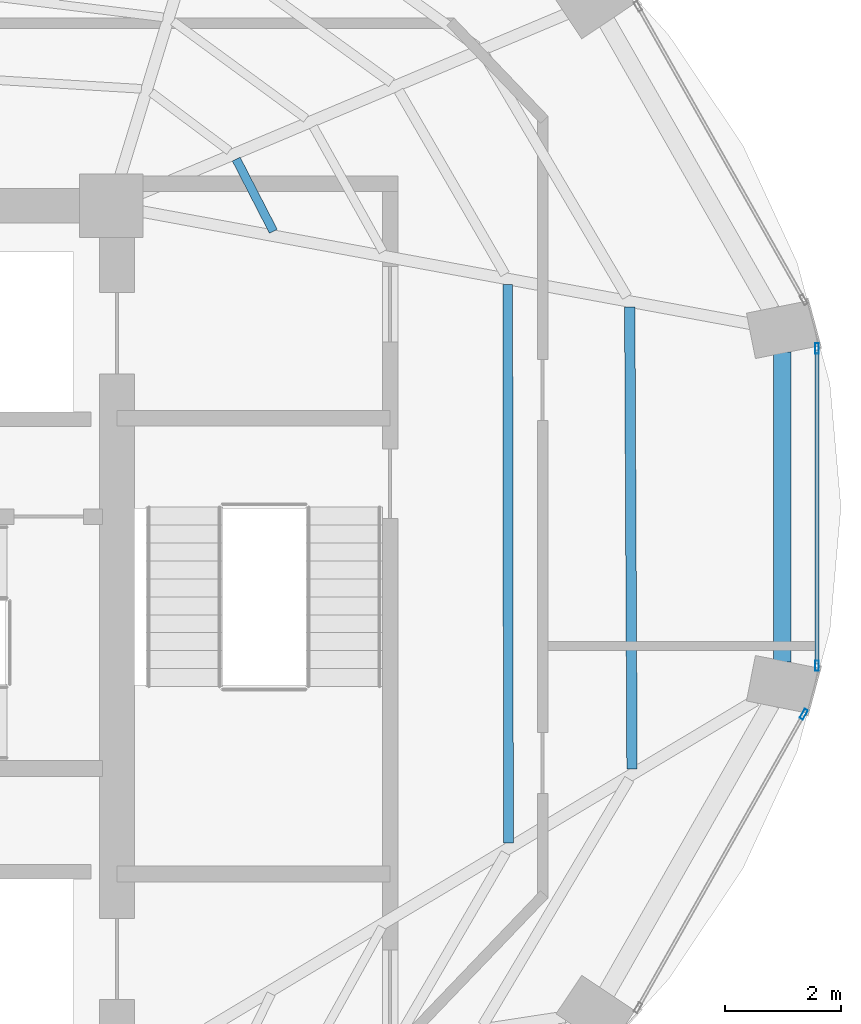
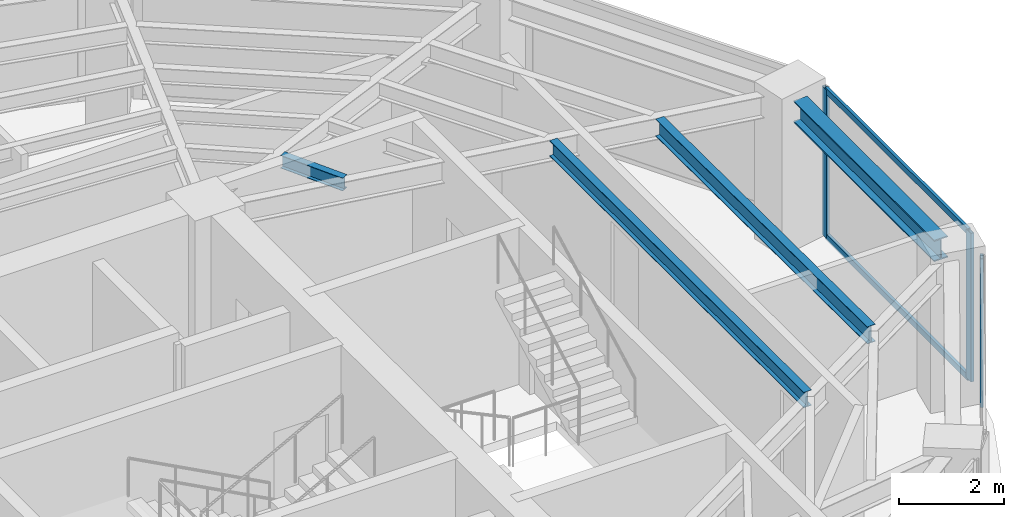
# One storey, part 14 of 23: 5 members, 4 beams, 2 elements without a shape of their own.
"""IFC4 building model written with IfcOpenShell, lengths in metres."""

from ifc_helpers import new_model, si_unit, direction, frame, origin, origin_2d, place, context, subcontext, project, spatial, hollow_rectangle, i_section, extrude, material, layer, layer_set, material_profile, profile_set, type_object, element, aggregate, save


model = new_model("IFC4")

# Units and contexts
model_context = context("Model", 3, precision=1e-05, world=origin(), true_north=direction((0.0, 1.0)))
body_context = subcontext(model_context, "Body", "Model", "MODEL_VIEW")
ifc_project = project(units=[si_unit("LENGTHUNIT", "METRE"), si_unit("AREAUNIT", "SQUARE_METRE"), si_unit("VOLUMEUNIT", "CUBIC_METRE"), si_unit("PLANEANGLEUNIT", "RADIAN"), si_unit("MASSUNIT", "GRAM", prefix="KILO")], contexts=[model_context])

# Site, building, storey
site_placement = place(None, origin())
site = spatial("IfcSite", under=ifc_project, at=site_placement, CompositionType="ELEMENT")
building_placement = place(site_placement, origin())
building = spatial("IfcBuilding", under=site, at=building_placement, Name="Lazwardi Medical Tower", CompositionType="ELEMENT")
storey_placement = place(building_placement, frame((0.0, 0.0, 213.072021484375)))
storey = spatial("IfcBuildingStorey", under=building, at=storey_placement, Name="L55", CompositionType="ELEMENT", Elevation=213.072021484375)

# Beams
ifc_material_1 = material(Name="Steel S355", Category="steel")
ifc_material_profile_1 = material_profile(ifc_material_1, i_section(OverallWidth=0.300048828125, OverallDepth=0.5, WebThickness=0.014404296875, FlangeThickness=0.028076171875, at=origin_2d()), Name="HEB 500")
ifc_profile_set_1 = profile_set([ifc_material_profile_1], Name="Steel S355")
beam_type_1 = type_object("IfcBeamType", Name="BM-RB-Z4", PredefinedType="BEAM", material=ifc_profile_set_1)
beam_1_placement = place(storey_placement, frame((57.18505859375, 27.72705078125, 3.197998046875), z_axis=(0.0, 1.0, 0.0), x_axis=(-1.0, 0.0, 0.0)))
element("IfcBeam", 1, at=beam_1_placement, inside=storey, type_object=beam_type_1, Name="Ring beam RB-05 B04 L55", PredefinedType="BEAM", context=body_context, shape_type="SweptSolid", body=[
    extrude(i_section(OverallWidth=0.300048828125, OverallDepth=0.5, WebThickness=0.014404296875, FlangeThickness=0.028076171875, at=origin_2d()), origin(), (0.0, 0.0, 1.0), 5.345947265625),
])
ifc_material_profile_2 = material_profile(ifc_material_1, i_section(OverallWidth=0.179931640625, OverallDepth=0.39990234375, WebThickness=0.008544921875, FlangeThickness=0.013427734375, at=origin_2d()), Name="IPE 400")
ifc_profile_set_2 = profile_set([ifc_material_profile_2], Name="Steel S355")
beam_type_2 = type_object("IfcBeamType", Name="BM-SJ-01", PredefinedType="JOIST", material=ifc_profile_set_2)
beam_2_placement = place(storey_placement, frame((54.592041015625, 25.879638671875, 3.248046875), z_axis=(-0.004929366644, 0.999987850598, 0.0), x_axis=(-0.999987850598, -0.004929366644, 0.0)))
element("IfcBeam", 2, at=beam_2_placement, inside=storey, type_object=beam_type_2, Name="Secondary joist SJ-01 R1 B04 L55", PredefinedType="JOIST", context=body_context, shape_type="SweptSolid", body=[
    extrude(i_section(OverallWidth=0.179931640625, OverallDepth=0.39990234375, WebThickness=0.008544921875, FlangeThickness=0.013427734375, at=origin_2d()), origin(), (0.0, 0.0, 1.0), 7.973876953125),
])
ifc_material_profile_3 = material_profile(ifc_material_1, i_section(OverallWidth=0.169921875, OverallDepth=0.360107421875, WebThickness=0.008056640625, FlangeThickness=0.0126953125, at=origin_2d()), Name="IPE 360")
ifc_profile_set_3 = profile_set([ifc_material_profile_3], Name="Steel S355")
beam_type_3 = type_object("IfcBeamType", Name="BM-SJ-02", PredefinedType="JOIST", material=ifc_profile_set_3)
beam_3_placement = place(storey_placement, frame((52.458984375, 24.602294921875, 3.26806640625), z_axis=(-0.001367606673, 0.999999064826, 0.0), x_axis=(-0.999999064826, -0.001367606673, 0.0)))
element("IfcBeam", 3, at=beam_3_placement, inside=storey, type_object=beam_type_3, Name="Secondary joist SJ-02 R2 B04 L55", PredefinedType="JOIST", context=body_context, shape_type="SweptSolid", body=[
    extrude(i_section(OverallWidth=0.169921875, OverallDepth=0.360107421875, WebThickness=0.008056640625, FlangeThickness=0.0126953125, at=origin_2d()), origin(), (0.0, 0.0, 1.0), 9.639892578125),
])
ifc_material_profile_4 = material_profile(ifc_material_1, i_section(OverallWidth=0.14990234375, OverallDepth=0.300048828125, WebThickness=0.007080078125, FlangeThickness=0.0107421875, at=origin_2d()), Name="IPE 300")
ifc_profile_set_4 = profile_set([ifc_material_profile_4], Name="Steel S355")
beam_type_4 = type_object("IfcBeamType", Name="BM-SJ-03", PredefinedType="JOIST", material=ifc_profile_set_4)
beam_4_placement = place(storey_placement, frame((48.39990234375, 35.159912109375, 3.298095703125), z_axis=(-0.457285056668, 0.889320176848, 0.0), x_axis=(-0.889320176848, -0.457285056668, 0.0)))
element("IfcBeam", 4, at=beam_4_placement, inside=storey, type_object=beam_type_4, Name="Secondary joist SJ-03 R4 B05 L55", PredefinedType="JOIST", context=body_context, shape_type="SweptSolid", body=[
    extrude(i_section(OverallWidth=0.14990234375, OverallDepth=0.300048828125, WebThickness=0.007080078125, FlangeThickness=0.0107421875, at=origin_2d()), origin(), (0.0, 0.0, 1.0), 1.402099609375),
])

# Curtain wall, member
ifc_material_2 = material(Name="Anodised bronze aluminium and solar control glazing", Category="aluminium")
ifc_layer = layer(ifc_material_2, 0.18994140625)
ifc_layer_set = layer_set([ifc_layer], Name="Anodised bronze aluminium and solar control glazing")
curtain_wall_type = type_object("IfcCurtainWallType", Name="CW-SYS-04", PredefinedType="NOTDEFINED", material=ifc_layer_set)
curtain_wall_1_placement = place(storey_placement, origin())
curtain_wall_1 = element("IfcCurtainWall", 5, at=curtain_wall_1_placement, inside=storey, type_object=curtain_wall_type, Name="L55 Unitised bronze curtain wall CW-04", PredefinedType="NOTDEFINED")
ifc_material_3 = material(Name="Anodised bronze aluminium", Category="aluminium")
ifc_material_profile_5 = material_profile(ifc_material_3, hollow_rectangle(XDim=0.06494140625, YDim=0.179931640625, WallThickness=0.00390625, at=origin_2d()), Name="ALU-MULLION 180x65x4")
ifc_profile_set_5 = profile_set([ifc_material_profile_5], Name="Anodised bronze aluminium")
member_type_1 = type_object("IfcMemberType", Name="CW-MUL-03", PredefinedType="MULLION", material=ifc_profile_set_5)
member_1_placement = place(storey_placement, frame((57.557373046875, 26.82177734375, 0.0), z_axis=(0.0, 0.0, 1.0), x_axis=(-0.870651436011, 0.491900474661, 0.0)))
member_1 = element("IfcMember", 6, at=member_1_placement, type_object=member_type_1, Name="CW-04 mullion 2", PredefinedType="MULLION", context=body_context, shape_type="SweptSolid", body=[
    extrude(hollow_rectangle(XDim=0.06494140625, YDim=0.179931640625, WallThickness=0.00390625, at=origin_2d()), origin(), (0.0, 0.0, 1.0), 3.447998046875),
])
aggregate(curtain_wall_1, [member_1])

# Curtain wall, members
curtain_wall_2_placement = place(storey_placement, origin())
curtain_wall_2 = element("IfcCurtainWall", 7, at=curtain_wall_2_placement, inside=storey, type_object=curtain_wall_type, Name="L55 Unitised bronze curtain wall CW-04", PredefinedType="NOTDEFINED")
member_2_placement = place(storey_placement, frame((57.7841796875, 27.659423828125, 0.0), z_axis=(0.0, 0.0, 1.0), x_axis=(-1.0, 0.0, 0.0)))
member_2 = element("IfcMember", 8, at=member_2_placement, type_object=member_type_1, Name="CW-04 mullion 1", PredefinedType="MULLION", context=body_context, shape_type="SweptSolid", body=[
    extrude(hollow_rectangle(XDim=0.06494140625, YDim=0.179931640625, WallThickness=0.00390625, at=origin_2d()), origin(), (0.0, 0.0, 1.0), 3.447998046875),
])
member_3_placement = place(storey_placement, frame((57.7841796875, 33.140380859375, 0.0), z_axis=(0.0, 0.0, 1.0), x_axis=(-1.0, 0.0, 0.0)))
member_3 = element("IfcMember", 9, at=member_3_placement, type_object=member_type_1, Name="CW-04 mullion 2", PredefinedType="MULLION", context=body_context, shape_type="SweptSolid", body=[
    extrude(hollow_rectangle(XDim=0.06494140625, YDim=0.179931640625, WallThickness=0.00390625, at=origin_2d()), origin(), (0.0, 0.0, 1.0), 3.447998046875),
])
ifc_material_profile_6 = material_profile(ifc_material_3, hollow_rectangle(XDim=0.06494140625, YDim=0.139892578125, WallThickness=0.00341796875, at=origin_2d()), Name="ALU-TRANSOM 140x65x3.5")
ifc_profile_set_6 = profile_set([ifc_material_profile_6], Name="Anodised bronze aluminium")
member_type_2 = type_object("IfcMemberType", Name="CW-TRN-03", PredefinedType="USERDEFINED", material=ifc_profile_set_6)
member_4_placement = place(storey_placement, frame((57.7841796875, 27.69189453125, 0.032470703125), z_axis=(0.0, 1.0, 0.0), x_axis=(-1.0, 0.0, 0.0)))
member_4 = element("IfcMember", 10, at=member_4_placement, type_object=member_type_2, Name="CW-04 transom 1.1", ObjectType="TRANSOM", PredefinedType="USERDEFINED", context=body_context, shape_type="SweptSolid", body=[
    extrude(hollow_rectangle(XDim=0.06494140625, YDim=0.139892578125, WallThickness=0.00341796875, at=origin_2d()), origin(), (0.0, 0.0, 1.0), 5.416015625),
])
member_5_placement = place(storey_placement, frame((57.7841796875, 27.69189453125, 3.41552734375), z_axis=(0.0, 1.0, 0.0), x_axis=(-1.0, 0.0, 0.0)))
member_5 = element("IfcMember", 11, at=member_5_placement, type_object=member_type_2, Name="CW-04 transom 1.2", ObjectType="TRANSOM", PredefinedType="USERDEFINED", context=body_context, shape_type="SweptSolid", body=[
    extrude(hollow_rectangle(XDim=0.06494140625, YDim=0.139892578125, WallThickness=0.00341796875, at=origin_2d()), origin(), (0.0, 0.0, 1.0), 5.416015625),
])
aggregate(curtain_wall_2, [member_2, member_3, member_4, member_5])

save(model, "model.ifc")
